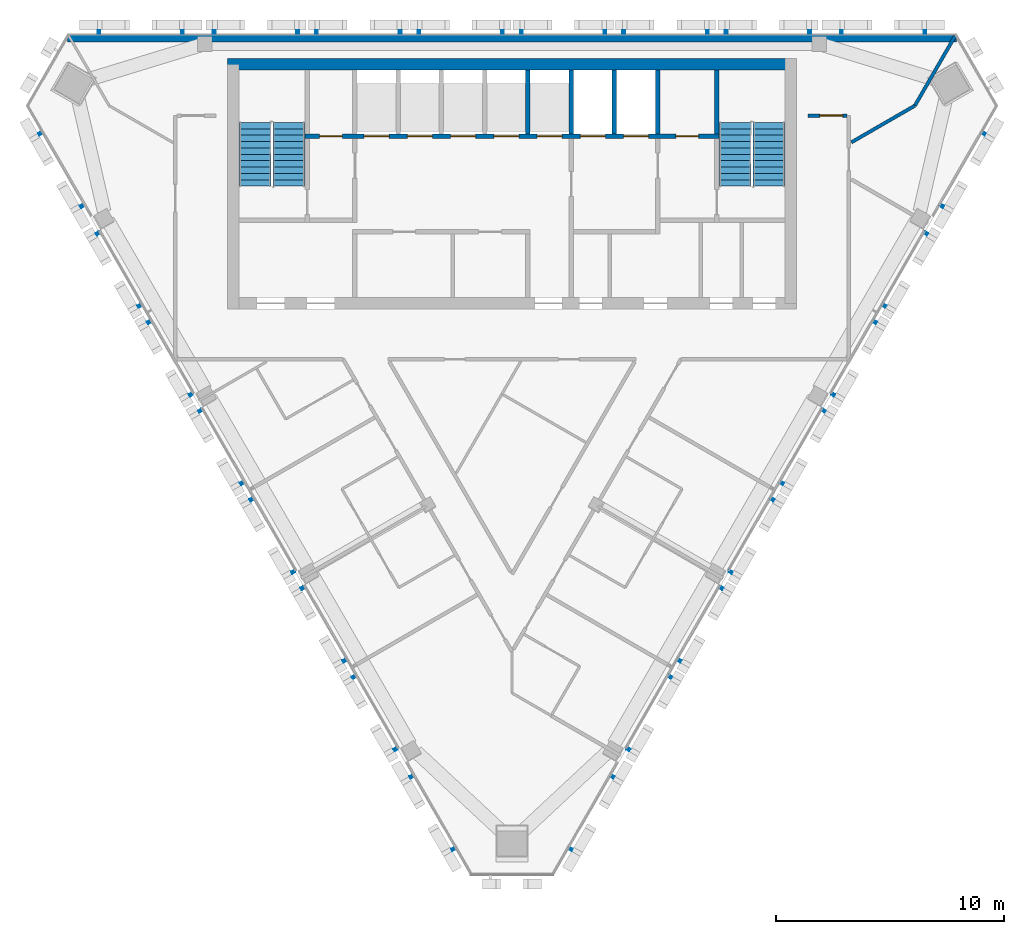
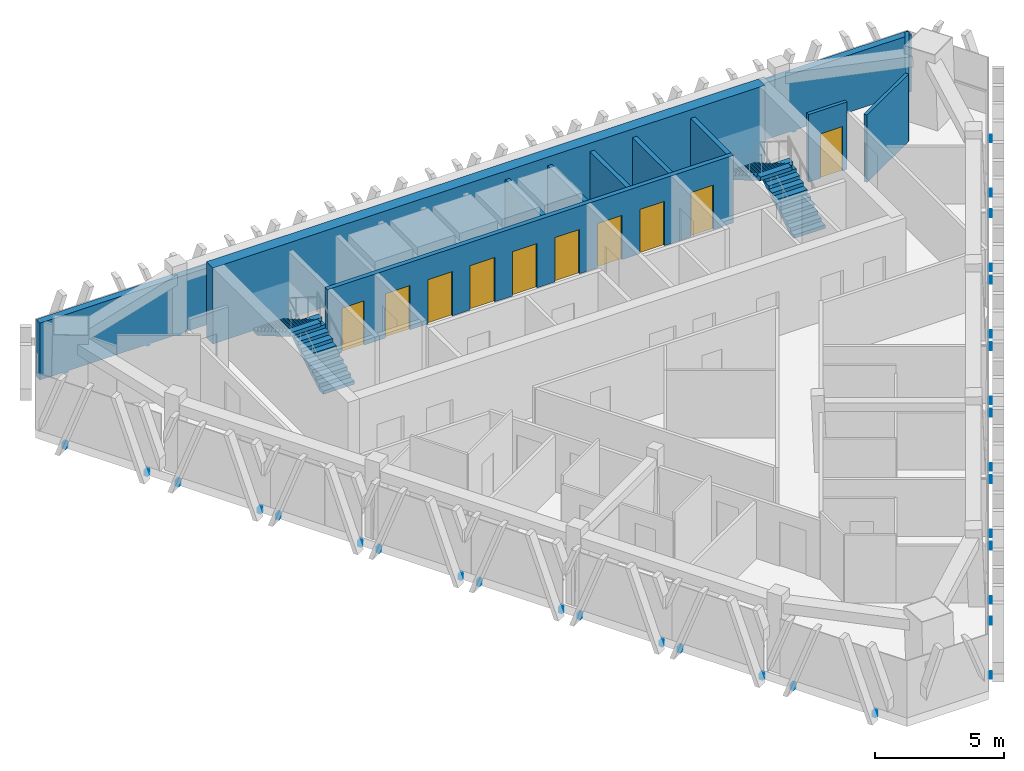
# One storey, part 8 of 12: 11 walls, 10 doors, 4 stair flights, 3 discrete accessories, 10 openings, 2 elements without a shape of their own.
"""IFC4 building model written with IfcOpenShell, lengths in metres."""

import ifcopenshell
import ifcopenshell.guid

model = None  # the IFC model being written
_history = None  # IfcOwnerHistory: only IFC2X3 demands one
_inside = {}  # id of a spatial element -> (the spatial element, [elements in it])
_under = {}  # id of a project, library or spatial element -> (it, [spatial elements below it])
_declared = {}  # id of a project -> (the project, [libraries it declares])
_typed = {}  # id of a type object -> (the type object, [elements of that type])
_made_of = {}  # id of a material, layer set ... -> (it, [elements and type objects made of it])


def new_model(schema):
    """Start an empty IFC model of exactly this schema.

    Asked for "IFC4X3", IfcOpenShell would pick the latest addendum, in which some entities
    have other attributes; the version numbers below select the first issue.
    IFC2X3 requires an IfcOwnerHistory on every rooted entity: one is made here for all.
    """
    global model, _history
    if schema == "IFC4X3":
        model = ifcopenshell.file(schema_version=(4, 3, 0, 0))
    else:
        model = ifcopenshell.file(schema=schema)
    _inside.clear()
    _under.clear()
    _declared.clear()
    _typed.clear()
    _made_of.clear()
    _history = None
    if model.schema == "IFC2X3":
        org = make("IfcOrganization", Name="unknown")
        user = make(
            "IfcPersonAndOrganization",
            ThePerson=make("IfcPerson", FamilyName="unknown"),
            TheOrganization=org,
        )
        app = make(
            "IfcApplication",
            ApplicationDeveloper=org,
            Version="unknown",
            ApplicationFullName="unknown",
            ApplicationIdentifier="unknown",
        )
        _history = make(
            "IfcOwnerHistory",
            OwningUser=user,
            OwningApplication=app,
            ChangeAction="ADDED",
            CreationDate=0,
        )
    return model


def make(cls, **values):
    """One entity of the class cls with the attributes given. An attribute that is None is left unset."""
    return model.create_entity(
        cls, **{name: value for name, value in values.items() if value is not None}
    )


def rooted(cls, **values):
    """An entity with a GlobalId (a new one), such as an element, a storey or a relation."""
    return make(cls, GlobalId=ifcopenshell.guid.new(), OwnerHistory=_history, **values)


def si_unit(unit_type, name, prefix=None):
    """IfcSIUnit, for example si_unit("LENGTHUNIT", "METRE", prefix="MILLI")."""
    return make("IfcSIUnit", UnitType=unit_type, Prefix=prefix, Name=name)


def assignment(units):
    """IfcUnitAssignment: the units of a project."""
    return None if units is None else make("IfcUnitAssignment", Units=units)


def point(xyz):
    """IfcCartesianPoint."""
    return None if xyz is None else make("IfcCartesianPoint", Coordinates=xyz)


def direction(xyz):
    """IfcDirection."""
    return None if xyz is None else make("IfcDirection", DirectionRatios=xyz)


def frame(location, z_axis=None, x_axis=None):
    """IfcAxis2Placement3D, a coordinate frame: its origin and axes. An axis left out is left unset."""
    return make(
        "IfcAxis2Placement3D",
        Location=point(location),
        Axis=direction(z_axis),
        RefDirection=direction(x_axis),
    )


def frame_2d(location, x_axis=None):
    """IfcAxis2Placement2D, a coordinate frame in the plane: its origin and x axis."""
    return make(
        "IfcAxis2Placement2D", Location=point(location), RefDirection=direction(x_axis)
    )


def origin():
    """The frame at (0, 0, 0) with its axes left unset."""
    return frame((0.0, 0.0, 0.0))


def place(relative_to, where):
    """IfcLocalPlacement: puts the frame where relative to a parent placement (None: the world)."""
    return make(
        "IfcLocalPlacement", PlacementRelTo=relative_to, RelativePlacement=where
    )


def context(
    kind, dimensions, precision=None, world=None, true_north=None, identifier=None
):
    """IfcGeometricRepresentationContext, for example the 3D "Model" context."""
    return make(
        "IfcGeometricRepresentationContext",
        ContextIdentifier=identifier,
        ContextType=kind,
        CoordinateSpaceDimension=dimensions,
        Precision=precision,
        WorldCoordinateSystem=world,
        TrueNorth=true_north,
    )


def subcontext(parent, identifier, kind, view, scale=None):
    """IfcGeometricRepresentationSubContext, for example "Body" below "Model"."""
    return make(
        "IfcGeometricRepresentationSubContext",
        ContextIdentifier=identifier,
        ContextType=kind,
        ParentContext=parent,
        TargetScale=scale,
        TargetView=view,
    )


def project(units=None, contexts=None):
    """IfcProject with its units and contexts."""
    return rooted(
        "IfcProject",
        Name="project",
        RepresentationContexts=contexts,
        UnitsInContext=assignment(units),
    )


def spatial(cls, under=None, at=None, **own):
    """A site, building, storey or space (cls), placed at a placement, below another one or the project."""
    s = rooted(cls, ObjectPlacement=at, **own)
    if under is not None:
        _under.setdefault(under.id(), (under, []))[1].append(s)
    return s


def polyline(points):
    """IfcPolyline through the points."""
    return make("IfcPolyline", Points=[point(p) for p in points])


def profile(cls, at=None, kind="AREA", **sizes):
    """A parametric profile (cls). Its sizes go by their IFC names, for example OverallWidth=200.0."""
    return make(cls, ProfileType=kind, Position=at, **sizes)


def rectangle(**sizes):
    """IfcRectangleProfileDef."""
    return profile("IfcRectangleProfileDef", **sizes)


def outline(outer, holes=None, kind="AREA"):
    """IfcArbitraryClosedProfileDef: a profile drawn as a closed curve; with holes, ...WithVoids."""
    if holes is None:
        return make("IfcArbitraryClosedProfileDef", ProfileType=kind, OuterCurve=outer)
    return make(
        "IfcArbitraryProfileDefWithVoids",
        ProfileType=kind,
        OuterCurve=outer,
        InnerCurves=holes,
    )


def extrude(swept, where, along, depth):
    """IfcExtrudedAreaSolid: the profile swept, set in the frame where, extruded along a direction by depth."""
    return make(
        "IfcExtrudedAreaSolid",
        SweptArea=swept,
        Position=where,
        ExtrudedDirection=direction(along),
        Depth=depth,
    )


def shape(context_of_items, identifier, shape_type, items):
    """IfcShapeRepresentation: the items that make up one representation, for example the "Body"."""
    return make(
        "IfcShapeRepresentation",
        ContextOfItems=context_of_items,
        RepresentationIdentifier=identifier,
        RepresentationType=shape_type,
        Items=items,
    )


def source(mapping_origin, context_of_items, identifier, shape_type, items):
    """IfcRepresentationMap: a shape defined once, which mapped items show again and again."""
    return make(
        "IfcRepresentationMap",
        MappingOrigin=mapping_origin,
        MappedRepresentation=shape(context_of_items, identifier, shape_type, items),
    )


def transform(
    local_origin,
    x_axis=None,
    y_axis=None,
    z_axis=None,
    scale=None,
    scale2=None,
    scale3=None,
    uniform=True,
):
    """IfcCartesianTransformationOperator3D, or its non-uniform kind. x_axis, y_axis, z_axis: its Axis1, 2, 3."""
    if uniform:
        return make(
            "IfcCartesianTransformationOperator3D",
            Axis1=direction(x_axis),
            Axis2=direction(y_axis),
            LocalOrigin=point(local_origin),
            Scale=scale,
            Axis3=direction(z_axis),
        )
    return make(
        "IfcCartesianTransformationOperator3DnonUniform",
        Axis1=direction(x_axis),
        Axis2=direction(y_axis),
        LocalOrigin=point(local_origin),
        Scale=scale,
        Axis3=direction(z_axis),
        Scale2=scale2,
        Scale3=scale3,
    )


def mapped(mapping_source, mapping_target):
    """IfcMappedItem: shows the shape of a source again, moved by a transform."""
    return make(
        "IfcMappedItem", MappingSource=mapping_source, MappingTarget=mapping_target
    )


def material(Name=None, Category=None):
    """IfcMaterial."""
    return make("IfcMaterial", Name=Name, Category=Category)


def layer(
    of_material, thickness, ventilated=None, Name=None, Category=None, Priority=None
):
    """IfcMaterialLayer: one layer of a wall or slab, of a material (None: an air gap)."""
    return make(
        "IfcMaterialLayer",
        Material=of_material,
        LayerThickness=thickness,
        IsVentilated=ventilated,
        Name=Name,
        Category=Category,
        Priority=Priority,
    )


def layer_set(layers, Name=None):
    """IfcMaterialLayerSet."""
    return make("IfcMaterialLayerSet", MaterialLayers=layers, LayerSetName=Name)


def made_of(thing, what):
    """Note that an element or type object is made of a material, layer set ...; save() writes the relation."""
    if what is not None:
        _made_of.setdefault(what.id(), (what, []))[1].append(thing)
    return thing


def type_object(cls, material=None, **own):
    """A type object (cls), such as IfcWallType, which elements share."""
    return made_of(rooted(cls, **own), material)


def element(
    cls,
    number,
    at=None,
    inside=None,
    cuts=None,
    type_object=None,
    material=None,
    context=None,
    identifier="Body",
    shape_type=None,
    held_by="IfcProductDefinitionShape",
    body=None,
    shapes=None,
    **own,
):
    """One element of the class cls, such as IfcWall. Its Tag is "e" and its number.

    at: its placement. inside: the storey or other place that contains it. cuts: it is an
    opening in that element (IfcRelVoidsElement). A single representation is given by context,
    identifier, shape_type and body (its items); several are given by shapes. held_by: the class
    of the entity that holds the representations. save() writes the other relations.
    """
    e = rooted(cls, Tag="e%d" % number, ObjectPlacement=at, **own)
    if body is not None:
        shapes = [shape(context, identifier, shape_type, body)]
    if shapes is not None:
        e.Representation = make(held_by, Representations=shapes)
    if inside is not None:
        _inside.setdefault(inside.id(), (inside, []))[1].append(e)
    if cuts is not None:
        rooted(
            "IfcRelVoidsElement", RelatingBuildingElement=cuts, RelatedOpeningElement=e
        )
    if type_object is not None:
        _typed.setdefault(type_object.id(), (type_object, []))[1].append(e)
    return made_of(e, material)


def fill(opening, filler):
    """IfcRelFillsElement: the door or window that sits in an opening."""
    return rooted(
        "IfcRelFillsElement",
        RelatingOpeningElement=opening,
        RelatedBuildingElement=filler,
    )


def aggregate(whole, parts):
    """IfcRelAggregates: a whole, such as a stair, and the parts it consists of."""
    return rooted("IfcRelAggregates", RelatingObject=whole, RelatedObjects=parts)


def save(model, path):
    """Write the relations noted so far, then the file.

    IfcRelAggregates (storeys below a building ...), IfcRelContainedInSpatialStructure (elements
    in a storey), IfcRelDefinesByType, IfcRelAssociatesMaterial and IfcRelDeclares: one each for
    every whole, place, type object, material and project.
    """
    for whole, parts in _under.values():
        aggregate(whole, parts)
    for where, things in _inside.values():
        rooted(
            "IfcRelContainedInSpatialStructure",
            RelatedElements=things,
            RelatingStructure=where,
        )
    for kind, things in _typed.values():
        rooted("IfcRelDefinesByType", RelatedObjects=things, RelatingType=kind)
    for what, things in _made_of.values():
        rooted("IfcRelAssociatesMaterial", RelatedObjects=things, RelatingMaterial=what)
    for by, libraries in _declared.values():
        rooted("IfcRelDeclares", RelatingContext=by, RelatedDefinitions=libraries)
    model.write(path)


model = new_model("IFC4")

# Units and contexts
model_context = context("Model", 3, precision=1e-05, world=origin(), true_north=direction((0.0, 1.0)))
body_context = subcontext(model_context, "Body", "Model", "MODEL_VIEW")
ifc_project = project(units=[si_unit("LENGTHUNIT", "METRE"), si_unit("AREAUNIT", "SQUARE_METRE"), si_unit("VOLUMEUNIT", "CUBIC_METRE"), si_unit("PLANEANGLEUNIT", "RADIAN"), si_unit("MASSUNIT", "GRAM", prefix="KILO")], contexts=[model_context])

# Site, building, storey
site_placement = place(None, origin())
site = spatial("IfcSite", under=ifc_project, at=site_placement, CompositionType="ELEMENT")
building_placement = place(site_placement, origin())
building = spatial("IfcBuilding", under=site, at=building_placement, Name="Altiplano Prism Tower", CompositionType="ELEMENT")
storey_placement = place(building_placement, frame((0.0, 0.0, 323.800048828125)))
storey = spatial("IfcBuildingStorey", under=building, at=storey_placement, Name="L84", CompositionType="ELEMENT", Elevation=323.800048828125)

# Wall
ifc_material_1 = material(Name="Concrete C60/75", Category="concrete")
ifc_layer_1 = layer(ifc_material_1, 0.5)
ifc_layer_set_1 = layer_set([ifc_layer_1], Name="Concrete C60/75")
wall_type_1 = type_object("IfcWallType", Name="Core wall 500", PredefinedType="SHEAR", material=ifc_layer_set_1)
wall_1_placement = place(storey_placement, frame((97.25, 103.64990234375, 0.0), z_axis=(0.0, 0.0, 1.0), x_axis=(-1.0, 0.0, 0.0)))
element("IfcWall", 1, at=wall_1_placement, inside=storey, type_object=wall_type_1, Name="Core wall N L84", PredefinedType="SHEAR", context=body_context, shape_type="SweptSolid", body=[
    extrude(rectangle(XDim=24.75, YDim=0.5, at=frame_2d((12.375, 0.0))), origin(), (0.0, 0.0, 1.0), 3.599853515625),
])

# Wall, opening, door
ifc_material_2 = material(Name="Plasterboard on steel stud", Category="steel")
ifc_layer_2 = layer(ifc_material_2, 0.14990234375)
ifc_layer_set_2 = layer_set([ifc_layer_2], Name="Plasterboard on steel stud")
wall_type_2 = type_object("IfcWallType", Name="Partition 150 corridor", PredefinedType="PARTITIONING", material=ifc_layer_set_2)
wall_2_placement = place(storey_placement, frame((99.7255859375, 101.40087890625, 0.0), z_axis=(0.0, 0.0, 1.0), x_axis=(-1.0, 0.0, 0.0)))
wall_2 = element("IfcWall", 2, at=wall_2_placement, inside=storey, type_object=wall_type_2, Name="Partition P06 L84 010", PredefinedType="PARTITIONING", context=body_context, shape_type="SweptSolid", body=[
    extrude(rectangle(XDim=1.7255859375, YDim=0.14990234375, at=frame_2d((0.86279296875, 0.0))), origin(), (0.0, 0.0, 1.0), 3.199951171875),
])
opening_1_placement = place(wall_2_placement, frame((0.199951171875, 0.0, 0.0)))
opening_1 = element("IfcOpeningElement", 3, at=opening_1_placement, cuts=wall_2, Name="Opening D2459", PredefinedType="OPENING", context=body_context, shape_type="SweptSolid", body=[
    extrude(rectangle(XDim=1.0, YDim=2.10009765625, at=frame_2d((0.5, 1.050048828125))), frame((0.0, 0.08544921875, 0.0), z_axis=(0.0, -1.0, 0.0), x_axis=(1.0, 0.0, 0.0)), (0.0, 0.0, 1.0), 0.1708984375),
])
ifc_material_3 = material(Name="Timber", Category="wood")
door_type_1 = type_object("IfcDoorType", Name="Room door 1000 x 2100", OperationType="NOTDEFINED", PredefinedType="NOTDEFINED", material=ifc_material_3)
door_1_placement = place(opening_1_placement, origin())
door_1 = element("IfcDoor", 4, at=door_1_placement, inside=storey, type_object=door_type_1, Name="Door D2459", OperationType="SINGLE_SWING_LEFT", OverallHeight=2.10009765625, OverallWidth=1.0, PredefinedType="NOTDEFINED", context=body_context, shape_type="SweptSolid", body=[
    extrude(rectangle(XDim=1.0, YDim=2.10009765625, at=frame_2d((0.5, 1.050048828125))), frame((0.0, 0.02490234375, 0.0), z_axis=(0.0, -1.0, 0.0), x_axis=(1.0, 0.0, 0.0)), (0.0, 0.0, 1.0), 0.050048828125),
])
fill(opening_1, door_1)

# Walls
ifc_layer_3 = layer(ifc_material_2, 0.14990234375)
ifc_layer_set_3 = layer_set([ifc_layer_3], Name="Plasterboard on steel stud")
wall_type_3 = type_object("IfcWallType", Name="Partition 150 party", PredefinedType="PARTITIONING", material=ifc_layer_set_3)
wall_3_placement = place(storey_placement, frame((104.4716796875, 104.89990234375, 0.0), z_axis=(0.0, 0.0, 1.0), x_axis=(-0.499975270313, -0.866039681005, 0.0)))
element("IfcWall", 5, at=wall_3_placement, inside=storey, type_object=wall_type_3, Name="Partition P01 L84 040", PredefinedType="PARTITIONING", context=body_context, shape_type="SweptSolid", body=[
    extrude(rectangle(XDim=3.538818359375, YDim=0.14990234375, at=frame_2d((1.76953125, 0.0))), origin(), (0.0, 0.0, 1.0), 2.699951171875),
])
wall_4_placement = place(storey_placement, frame((102.702392578125, 101.835205078125, 0.0), z_axis=(0.0, 0.0, 1.0), x_axis=(-0.86603284879, -0.49998710465, 0.0)))
element("IfcWall", 6, at=wall_4_placement, inside=storey, type_object=wall_type_3, Name="Partition P01 L84 041", PredefinedType="PARTITIONING", context=body_context, shape_type="SweptSolid", body=[
    extrude(rectangle(XDim=3.220703125, YDim=0.14990234375, at=frame_2d((1.6103515625, 0.0))), origin(), (0.0, 0.0, 1.0), 3.199951171875),
])
ifc_layer_4 = layer(ifc_material_1, 0.199951171875)
ifc_layer_set_4 = layer_set([ifc_layer_4], Name="Concrete C60/75")
wall_type_4 = type_object("IfcWallType", Name="Shaft wall 200", PredefinedType="SOLIDWALL", material=ifc_layer_set_4)
for number, where, z_axis, x_axis, name in (
    (7, (85.699951171875, 100.60009765625, 0.0), (0.0, 0.0, 1.0), (0.0, 1.0, 0.0), "Shaft wall L84"),
    (8, (87.60009765625, 100.60009765625, 0.0), (0.0, 0.0, 1.0), (0.0, 1.0, 0.0), "Shaft wall L84"),
    (9, (89.5, 100.60009765625, 0.0), (0.0, 0.0, 1.0), (0.0, 1.0, 0.0), "Shaft wall L84"),
    (10, (91.39990234375, 100.60009765625, 0.0), (0.0, 0.0, 1.0), (0.0, 1.0, 0.0), "Shaft wall L84"),
):
    element("IfcWall", number, at=place(storey_placement, frame(where, z_axis=z_axis, x_axis=x_axis)), inside=storey, type_object=wall_type_4, Name=name, PredefinedType="SOLIDWALL", context=body_context, shape_type="SweptSolid", body=[
        extrude(rectangle(XDim=2.7998046875, YDim=0.199951171875, at=frame_2d((1.39990234375, 0.0))), origin(), (0.0, 0.0, 1.0), 3.199951171875),
    ])

# Wall, openings, doors
ifc_layer_5 = layer(ifc_material_1, 0.199951171875)
ifc_layer_set_5 = layer_set([ifc_layer_5], Name="Concrete C60/75")
wall_type_5 = type_object("IfcWallType", Name="Stair wall 200", PredefinedType="SOLIDWALL", material=ifc_layer_set_5)
wall_5_placement = place(storey_placement, frame((75.89990234375, 100.5, 0.0), z_axis=(0.0, 0.0, 1.0), x_axis=(1.0, 0.0, 0.0)))
wall_5 = element("IfcWall", 11, at=wall_5_placement, inside=storey, type_object=wall_type_5, Name="Stair wall L84", PredefinedType="SOLIDWALL", context=body_context, shape_type="SweptSolid", body=[
    extrude(rectangle(XDim=18.2001953125, YDim=0.199951171875, at=frame_2d((9.10009765625, 0.0))), origin(), (0.0, 0.0, 1.0), 3.199951171875),
])
opening_2_placement = place(wall_5_placement, frame((2.60009765625, 0.0, 0.0)))
opening_2 = element("IfcOpeningElement", 12, at=opening_2_placement, cuts=wall_5, Name="Opening LD-HL1-L84", PredefinedType="OPENING", context=body_context, shape_type="SweptSolid", body=[
    extrude(rectangle(XDim=1.10009765625, YDim=2.10009765625, at=frame_2d((0.550048828125, 1.050048828125))), frame((0.0, 0.1103515625, 0.0), z_axis=(0.0, -1.0, 0.0), x_axis=(1.0, 0.0, 0.0)), (0.0, 0.0, 1.0), 0.220947265625),
])
opening_3_placement = place(wall_5_placement, frame((4.5, 0.0, 0.0)))
opening_3 = element("IfcOpeningElement", 13, at=opening_3_placement, cuts=wall_5, Name="Opening LD-HL2-L84", PredefinedType="OPENING", context=body_context, shape_type="SweptSolid", body=[
    extrude(rectangle(XDim=1.10009765625, YDim=2.10009765625, at=frame_2d((0.550048828125, 1.050048828125))), frame((0.0, 0.1103515625, 0.0), z_axis=(0.0, -1.0, 0.0), x_axis=(1.0, 0.0, 0.0)), (0.0, 0.0, 1.0), 0.220947265625),
])
opening_4_placement = place(wall_5_placement, frame((6.39990234375, 0.0, 0.0)))
opening_4 = element("IfcOpeningElement", 14, at=opening_4_placement, cuts=wall_5, Name="Opening LD-HL3-L84", PredefinedType="OPENING", context=body_context, shape_type="SweptSolid", body=[
    extrude(rectangle(XDim=1.10009765625, YDim=2.10009765625, at=frame_2d((0.550048828125, 1.050048828125))), frame((0.0, 0.1103515625, 0.0), z_axis=(0.0, -1.0, 0.0), x_axis=(1.0, 0.0, 0.0)), (0.0, 0.0, 1.0), 0.220947265625),
])
opening_5_placement = place(wall_5_placement, frame((8.300048828125, 0.0, 0.0)))
opening_5 = element("IfcOpeningElement", 15, at=opening_5_placement, cuts=wall_5, Name="Opening LD-HL4-L84", PredefinedType="OPENING", context=body_context, shape_type="SweptSolid", body=[
    extrude(rectangle(XDim=1.10009765625, YDim=2.10009765625, at=frame_2d((0.550048828125, 1.050048828125))), frame((0.0, 0.1103515625, 0.0), z_axis=(0.0, -1.0, 0.0), x_axis=(1.0, 0.0, 0.0)), (0.0, 0.0, 1.0), 0.220947265625),
])
opening_6_placement = place(wall_5_placement, frame((10.199951171875, 0.0, 0.0)))
opening_6 = element("IfcOpeningElement", 16, at=opening_6_placement, cuts=wall_5, Name="Opening LD-HL5-L84", PredefinedType="OPENING", context=body_context, shape_type="SweptSolid", body=[
    extrude(rectangle(XDim=1.10009765625, YDim=2.10009765625, at=frame_2d((0.550048828125, 1.050048828125))), frame((0.0, 0.1103515625, 0.0), z_axis=(0.0, -1.0, 0.0), x_axis=(1.0, 0.0, 0.0)), (0.0, 0.0, 1.0), 0.220947265625),
])
opening_7_placement = place(wall_5_placement, frame((12.10009765625, 0.0, 0.0)))
opening_7 = element("IfcOpeningElement", 17, at=opening_7_placement, cuts=wall_5, Name="Opening LD-FF1-L84", PredefinedType="OPENING", context=body_context, shape_type="SweptSolid", body=[
    extrude(rectangle(XDim=1.10009765625, YDim=2.10009765625, at=frame_2d((0.550048828125, 1.050048828125))), frame((0.0, 0.1103515625, 0.0), z_axis=(0.0, -1.0, 0.0), x_axis=(1.0, 0.0, 0.0)), (0.0, 0.0, 1.0), 0.220947265625),
])
opening_8_placement = place(wall_5_placement, frame((14.0, 0.0, 0.0)))
opening_8 = element("IfcOpeningElement", 18, at=opening_8_placement, cuts=wall_5, Name="Opening LD-FF2-L84", PredefinedType="OPENING", context=body_context, shape_type="SweptSolid", body=[
    extrude(rectangle(XDim=1.10009765625, YDim=2.10009765625, at=frame_2d((0.550048828125, 1.050048828125))), frame((0.0, 0.1103515625, 0.0), z_axis=(0.0, -1.0, 0.0), x_axis=(1.0, 0.0, 0.0)), (0.0, 0.0, 1.0), 0.220947265625),
])
opening_9_placement = place(wall_5_placement, frame((0.64990234375, 0.0, 0.0)))
opening_9 = element("IfcOpeningElement", 19, at=opening_9_placement, cuts=wall_5, Name="Opening D3776", PredefinedType="OPENING", context=body_context, shape_type="SweptSolid", body=[
    extrude(rectangle(XDim=1.0, YDim=2.10009765625, at=frame_2d((0.5, 1.050048828125))), frame((0.0, 0.1103515625, 0.0), z_axis=(0.0, -1.0, 0.0), x_axis=(1.0, 0.0, 0.0)), (0.0, 0.0, 1.0), 0.220947265625),
])
opening_10_placement = place(wall_5_placement, frame((16.300048828125, 0.0, 0.0)))
opening_10 = element("IfcOpeningElement", 20, at=opening_10_placement, cuts=wall_5, Name="Opening D3777", PredefinedType="OPENING", context=body_context, shape_type="SweptSolid", body=[
    extrude(rectangle(XDim=1.0, YDim=2.10009765625, at=frame_2d((0.5, 1.050048828125))), frame((0.0, 0.1103515625, 0.0), z_axis=(0.0, -1.0, 0.0), x_axis=(1.0, 0.0, 0.0)), (0.0, 0.0, 1.0), 0.220947265625),
])
ifc_material_4 = material(Name="Fire-rated steel door", Category="steel")
door_type_2 = type_object("IfcDoorType", Name="Core room door 1000 x 2100", OperationType="NOTDEFINED", PredefinedType="NOTDEFINED", material=ifc_material_4)
door_2_placement = place(opening_9_placement, origin())
door_2 = element("IfcDoor", 21, at=door_2_placement, inside=storey, type_object=door_type_2, Name="Core room door D3776", OperationType="SINGLE_SWING_LEFT", OverallHeight=2.10009765625, OverallWidth=1.0, PredefinedType="NOTDEFINED", context=body_context, shape_type="SweptSolid", body=[
    extrude(rectangle(XDim=1.0, YDim=2.10009765625, at=frame_2d((0.5, 1.050048828125))), frame((0.0, 0.02490234375, 0.0), z_axis=(0.0, -1.0, 0.0), x_axis=(1.0, 0.0, 0.0)), (0.0, 0.0, 1.0), 0.050048828125),
])
fill(opening_9, door_2)
door_3_placement = place(opening_10_placement, origin())
door_3 = element("IfcDoor", 22, at=door_3_placement, inside=storey, type_object=door_type_2, Name="Core room door D3777", OperationType="SINGLE_SWING_RIGHT", OverallHeight=2.10009765625, OverallWidth=1.0, PredefinedType="NOTDEFINED", context=body_context, shape_type="SweptSolid", body=[
    extrude(rectangle(XDim=1.0, YDim=2.10009765625, at=frame_2d((0.5, 1.050048828125))), frame((0.0, 0.02490234375, 0.0), z_axis=(0.0, -1.0, 0.0), x_axis=(1.0, 0.0, 0.0)), (0.0, 0.0, 1.0), 0.050048828125),
])
fill(opening_10, door_3)
ifc_material_5 = material(Name="Stainless steel landing door", Category="steel")
door_type_3 = type_object("IfcDoorType", Name="Landing door 1100 x 2100", OperationType="NOTDEFINED", PredefinedType="NOTDEFINED", material=ifc_material_5)
door_4_placement = place(opening_2_placement, origin())
door_4 = element("IfcDoor", 23, at=door_4_placement, inside=storey, type_object=door_type_3, Name="Landing doors HL1", OperationType="SLIDING_TO_RIGHT", OverallHeight=2.10009765625, OverallWidth=1.10009765625, PredefinedType="NOTDEFINED", context=body_context, shape_type="SweptSolid", body=[
    extrude(rectangle(XDim=1.10009765625, YDim=2.10009765625, at=frame_2d((0.550048828125, 1.050048828125))), frame((0.0, 0.02490234375, 0.0), z_axis=(0.0, -1.0, 0.0), x_axis=(1.0, 0.0, 0.0)), (0.0, 0.0, 1.0), 0.050048828125),
])
fill(opening_2, door_4)
door_5_placement = place(opening_3_placement, origin())
door_5 = element("IfcDoor", 24, at=door_5_placement, inside=storey, type_object=door_type_3, Name="Landing doors HL2", OperationType="SLIDING_TO_LEFT", OverallHeight=2.10009765625, OverallWidth=1.10009765625, PredefinedType="NOTDEFINED", context=body_context, shape_type="SweptSolid", body=[
    extrude(rectangle(XDim=1.10009765625, YDim=2.10009765625, at=frame_2d((0.550048828125, 1.050048828125))), frame((0.0, 0.02490234375, 0.0), z_axis=(0.0, -1.0, 0.0), x_axis=(1.0, 0.0, 0.0)), (0.0, 0.0, 1.0), 0.050048828125),
])
fill(opening_3, door_5)
door_6_placement = place(opening_4_placement, origin())
door_6 = element("IfcDoor", 25, at=door_6_placement, inside=storey, type_object=door_type_3, Name="Landing doors HL3", OperationType="SLIDING_TO_RIGHT", OverallHeight=2.10009765625, OverallWidth=1.10009765625, PredefinedType="NOTDEFINED", context=body_context, shape_type="SweptSolid", body=[
    extrude(rectangle(XDim=1.10009765625, YDim=2.10009765625, at=frame_2d((0.550048828125, 1.050048828125))), frame((0.0, 0.02490234375, 0.0), z_axis=(0.0, -1.0, 0.0), x_axis=(1.0, 0.0, 0.0)), (0.0, 0.0, 1.0), 0.050048828125),
])
fill(opening_4, door_6)
door_7_placement = place(opening_5_placement, origin())
door_7 = element("IfcDoor", 26, at=door_7_placement, inside=storey, type_object=door_type_3, Name="Landing doors HL4", OperationType="SLIDING_TO_LEFT", OverallHeight=2.10009765625, OverallWidth=1.10009765625, PredefinedType="NOTDEFINED", context=body_context, shape_type="SweptSolid", body=[
    extrude(rectangle(XDim=1.10009765625, YDim=2.10009765625, at=frame_2d((0.550048828125, 1.050048828125))), frame((0.0, 0.02490234375, 0.0), z_axis=(0.0, -1.0, 0.0), x_axis=(1.0, 0.0, 0.0)), (0.0, 0.0, 1.0), 0.050048828125),
])
fill(opening_5, door_7)
door_8_placement = place(opening_6_placement, origin())
door_8 = element("IfcDoor", 27, at=door_8_placement, inside=storey, type_object=door_type_3, Name="Landing doors HL5", OperationType="SLIDING_TO_RIGHT", OverallHeight=2.10009765625, OverallWidth=1.10009765625, PredefinedType="NOTDEFINED", context=body_context, shape_type="SweptSolid", body=[
    extrude(rectangle(XDim=1.10009765625, YDim=2.10009765625, at=frame_2d((0.550048828125, 1.050048828125))), frame((0.0, 0.02490234375, 0.0), z_axis=(0.0, -1.0, 0.0), x_axis=(1.0, 0.0, 0.0)), (0.0, 0.0, 1.0), 0.050048828125),
])
fill(opening_6, door_8)
door_9_placement = place(opening_7_placement, origin())
door_9 = element("IfcDoor", 28, at=door_9_placement, inside=storey, type_object=door_type_3, Name="Landing doors FF1", OperationType="SLIDING_TO_RIGHT", OverallHeight=2.10009765625, OverallWidth=1.10009765625, PredefinedType="NOTDEFINED", context=body_context, shape_type="SweptSolid", body=[
    extrude(rectangle(XDim=1.10009765625, YDim=2.10009765625, at=frame_2d((0.550048828125, 1.050048828125))), frame((0.0, 0.02490234375, 0.0), z_axis=(0.0, -1.0, 0.0), x_axis=(1.0, 0.0, 0.0)), (0.0, 0.0, 1.0), 0.050048828125),
])
fill(opening_7, door_9)
door_10_placement = place(opening_8_placement, origin())
door_10 = element("IfcDoor", 29, at=door_10_placement, inside=storey, type_object=door_type_3, Name="Landing doors FF2", OperationType="SLIDING_TO_LEFT", OverallHeight=2.10009765625, OverallWidth=1.10009765625, PredefinedType="NOTDEFINED", context=body_context, shape_type="SweptSolid", body=[
    extrude(rectangle(XDim=1.10009765625, YDim=2.10009765625, at=frame_2d((0.550048828125, 1.050048828125))), frame((0.0, 0.02490234375, 0.0), z_axis=(0.0, -1.0, 0.0), x_axis=(1.0, 0.0, 0.0)), (0.0, 0.0, 1.0), 0.050048828125),
])
fill(opening_8, door_10)

# Walls
wall_6_placement = place(storey_placement, frame((94.0, 100.60009765625, 0.0), z_axis=(0.0, 0.0, 1.0), x_axis=(0.0, 1.0, 0.0)))
element("IfcWall", 30, at=wall_6_placement, inside=storey, type_object=wall_type_5, Name="Stair wall L84", PredefinedType="SOLIDWALL", context=body_context, shape_type="SweptSolid", body=[
    extrude(rectangle(XDim=2.7998046875, YDim=0.199951171875, at=frame_2d((1.39990234375, 0.0))), origin(), (0.0, 0.0, 1.0), 3.199951171875),
])
ifc_material_6 = material(Name="Concrete C40", Category="concrete")
ifc_layer_6 = layer(ifc_material_6, 0.300048828125)
ifc_layer_set_6 = layer_set([ifc_layer_6], Name="Concrete C40")
wall_type_6 = type_object("IfcWallType", Name="Stone-clad external wall 300", PredefinedType="SOLIDWALL", material=ifc_layer_set_6)
wall_7_placement = place(storey_placement, frame((65.470703125, 104.7900390625, 0.0), z_axis=(0.0, 0.0, 1.0), x_axis=(1.0, 0.0, 0.0)))
element("IfcWall", 31, at=wall_7_placement, inside=storey, type_object=wall_type_6, Name="External wall north face L84", PredefinedType="SOLIDWALL", context=body_context, shape_type="SweptSolid", body=[
    extrude(rectangle(XDim=39.05859375, YDim=0.300048828125, at=frame_2d((19.529296875, 0.0))), origin(), (0.0, 0.0, 1.0), 2.699951171875),
])

# Stair, stair flights
ifc_material_7 = material(Name="Concrete C40/50", Category="concrete")
stair_type = type_object("IfcStairType", Name="Exit stair 1400", PredefinedType="HALF_TURN_STAIR", material=ifc_material_7)
stair_1_placement = place(storey_placement, origin())
stair_1 = element("IfcStair", 32, at=stair_1_placement, inside=storey, type_object=stair_type, Name="L84 Exit Stair 1", PredefinedType="HALF_TURN_STAIR")
stair_flight_type = type_object("IfcStairFlightType", Name="Stair flight concrete 150", PredefinedType="STRAIGHT", material=ifc_material_7)
stair_flight_1_placement = place(storey_placement, frame((75.199951171875, 98.300048828125, 0.0), z_axis=(0.0, 0.0, 1.0), x_axis=(0.0, 1.0, 0.0)))
stair_flight_1 = element("IfcStairFlight", 33, at=stair_flight_1_placement, type_object=stair_flight_type, Name="ST1 flight 1", NumberOfRisers=11, NumberOfTreads=10, PredefinedType="STRAIGHT", RiserHeight=0.163636364, TreadLength=0.28, context=body_context, shape_type="SweptSolid", body=[
    extrude(outline(polyline([(0.0, 0.0), (0.0, 0.16357421875), (0.280029296875, 0.16357421875), (0.280029296875, 0.327392578125), (0.56005859375, 0.327392578125), (0.56005859375, 0.490966796875), (0.840087890625, 0.490966796875), (0.840087890625, 0.654541015625), (1.1201171875, 0.654541015625), (1.1201171875, 0.818115234375), (1.39990234375, 0.818115234375), (1.39990234375, 0.98193359375), (1.679931640625, 0.98193359375), (1.679931640625, 1.1455078125), (1.9599609375, 1.1455078125), (1.9599609375, 1.30908203125), (2.239990234375, 1.30908203125), (2.239990234375, 1.47265625), (2.52001953125, 1.47265625), (2.52001953125, 1.636474609375), (2.800048828125, 1.636474609375), (2.800048828125, 1.800048828125), (2.800048828125, 1.462646484375), (0.297119140625, 0.0), (0.0, 0.0)])), frame((0.0, 0.699951171875, 0.0), z_axis=(0.0, -1.0, 0.0), x_axis=(1.0, 0.0, 0.0)), (0.0, 0.0, 1.0), 1.39990234375),
])
stair_flight_2_placement = place(storey_placement, frame((73.699951171875, 101.10009765625, 1.800048828125), z_axis=(0.0, 0.0, 1.0), x_axis=(0.0, -1.0, 0.0)))
stair_flight_2 = element("IfcStairFlight", 34, at=stair_flight_2_placement, type_object=stair_flight_type, Name="ST1 flight 2", NumberOfRisers=11, NumberOfTreads=10, PredefinedType="STRAIGHT", RiserHeight=0.163636364, TreadLength=0.28, context=body_context, shape_type="SweptSolid", body=[
    extrude(outline(polyline([(0.0, 0.0), (0.0, 0.16357421875), (0.280029296875, 0.16357421875), (0.280029296875, 0.327392578125), (0.56005859375, 0.327392578125), (0.56005859375, 0.490966796875), (0.840087890625, 0.490966796875), (0.840087890625, 0.654541015625), (1.1201171875, 0.654541015625), (1.1201171875, 0.818115234375), (1.39990234375, 0.818115234375), (1.39990234375, 0.98193359375), (1.679931640625, 0.98193359375), (1.679931640625, 1.1455078125), (1.9599609375, 1.1455078125), (1.9599609375, 1.30908203125), (2.239990234375, 1.30908203125), (2.239990234375, 1.47265625), (2.52001953125, 1.47265625), (2.52001953125, 1.636474609375), (2.800048828125, 1.636474609375), (2.800048828125, 1.800048828125), (2.800048828125, 1.462646484375), (0.297119140625, 0.0), (0.0, 0.0)])), frame((0.0, 0.699951171875, 0.0), z_axis=(0.0, -1.0, 0.0), x_axis=(1.0, 0.0, 0.0)), (0.0, 0.0, 1.0), 1.39990234375),
])
aggregate(stair_1, [stair_flight_1, stair_flight_2])

stair_2_placement = place(storey_placement, origin())
stair_2 = element("IfcStair", 35, at=stair_2_placement, inside=storey, type_object=stair_type, Name="L84 Exit Stair 2", PredefinedType="HALF_TURN_STAIR")
stair_flight_3_placement = place(storey_placement, frame((96.300048828125, 98.300048828125, 0.0), z_axis=(0.0, 0.0, 1.0), x_axis=(0.0, 1.0, 0.0)))
stair_flight_3 = element("IfcStairFlight", 36, at=stair_flight_3_placement, type_object=stair_flight_type, Name="ST2 flight 1", NumberOfRisers=11, NumberOfTreads=10, PredefinedType="STRAIGHT", RiserHeight=0.163636364, TreadLength=0.28, context=body_context, shape_type="SweptSolid", body=[
    extrude(outline(polyline([(0.0, 0.0), (0.0, 0.16357421875), (0.280029296875, 0.16357421875), (0.280029296875, 0.327392578125), (0.56005859375, 0.327392578125), (0.56005859375, 0.490966796875), (0.840087890625, 0.490966796875), (0.840087890625, 0.654541015625), (1.1201171875, 0.654541015625), (1.1201171875, 0.818115234375), (1.39990234375, 0.818115234375), (1.39990234375, 0.98193359375), (1.679931640625, 0.98193359375), (1.679931640625, 1.1455078125), (1.9599609375, 1.1455078125), (1.9599609375, 1.30908203125), (2.239990234375, 1.30908203125), (2.239990234375, 1.47265625), (2.52001953125, 1.47265625), (2.52001953125, 1.636474609375), (2.800048828125, 1.636474609375), (2.800048828125, 1.800048828125), (2.800048828125, 1.462646484375), (0.297119140625, 0.0), (0.0, 0.0)])), frame((0.0, 0.699951171875, 0.0), z_axis=(0.0, -1.0, 0.0), x_axis=(1.0, 0.0, 0.0)), (0.0, 0.0, 1.0), 1.39990234375),
])
stair_flight_4_placement = place(storey_placement, frame((94.800048828125, 101.10009765625, 1.800048828125), z_axis=(0.0, 0.0, 1.0), x_axis=(0.0, -1.0, 0.0)))
stair_flight_4 = element("IfcStairFlight", 37, at=stair_flight_4_placement, type_object=stair_flight_type, Name="ST2 flight 2", NumberOfRisers=11, NumberOfTreads=10, PredefinedType="STRAIGHT", RiserHeight=0.163636364, TreadLength=0.28, context=body_context, shape_type="SweptSolid", body=[
    extrude(outline(polyline([(0.0, 0.0), (0.0, 0.16357421875), (0.280029296875, 0.16357421875), (0.280029296875, 0.327392578125), (0.56005859375, 0.327392578125), (0.56005859375, 0.490966796875), (0.840087890625, 0.490966796875), (0.840087890625, 0.654541015625), (1.1201171875, 0.654541015625), (1.1201171875, 0.818115234375), (1.39990234375, 0.818115234375), (1.39990234375, 0.98193359375), (1.679931640625, 0.98193359375), (1.679931640625, 1.1455078125), (1.9599609375, 1.1455078125), (1.9599609375, 1.30908203125), (2.239990234375, 1.30908203125), (2.239990234375, 1.47265625), (2.52001953125, 1.47265625), (2.52001953125, 1.636474609375), (2.800048828125, 1.636474609375), (2.800048828125, 1.800048828125), (2.800048828125, 1.462646484375), (0.297119140625, 0.0), (0.0, 0.0)])), frame((0.0, 0.699951171875, 0.0), z_axis=(0.0, -1.0, 0.0), x_axis=(1.0, 0.0, 0.0)), (0.0, 0.0, 1.0), 1.39990234375),
])
aggregate(stair_2, [stair_flight_3, stair_flight_4])

# Discrete accessories
ifc_material_8 = material(Name="Stainless steel", Category="steel")
discrete_accessory_type = type_object("IfcDiscreteAccessoryType", Name="Stone fin fixing prongs", PredefinedType="USERDEFINED", material=ifc_material_8)
shared_shape_1 = source(origin(), body_context, "Body", "SweptSolid", [
    extrude(outline(polyline([(-1.8974609375, 0.06005859375), (-1.777587890625, 0.06005859375), (-1.777587890625, 0.340087890625), (-1.8974609375, 0.340087890625), (-1.8974609375, 0.06005859375)])), frame((0.0, 0.0, 0.0), z_axis=(0.0, -1.0, 0.0), x_axis=(1.0, 0.0, 0.0)), (0.0, 0.0, 1.0), 0.14990234375),
    extrude(outline(polyline([(1.777587890625, 0.06005859375), (1.8974609375, 0.06005859375), (1.8974609375, 0.340087890625), (1.777587890625, 0.340087890625), (1.777587890625, 0.06005859375)])), frame((0.0, 0.0, 0.0), z_axis=(0.0, -1.0, 0.0), x_axis=(1.0, 0.0, 0.0)), (0.0, 0.0, 1.0), 0.14990234375),
])
shared_shape_2 = source(origin(), body_context, "Body", "SweptSolid", [
    extrude(outline(polyline([(-1.8974609375, 0.06005859375), (-1.777587890625, 0.06005859375), (-1.777587890625, 0.340087890625), (-1.8974609375, 0.340087890625), (-1.8974609375, 0.06005859375)])), frame((0.0, 0.0, 0.0), z_axis=(0.0, -1.0, 0.0), x_axis=(1.0, 0.0, 0.0)), (0.0, 0.0, 1.0), 0.14990234375),
    extrude(outline(polyline([(1.777587890625, 0.06005859375), (1.8974609375, 0.06005859375), (1.8974609375, 0.340087890625), (1.777587890625, 0.340087890625), (1.777587890625, 0.06005859375)])), frame((0.0, 0.0, 0.0), z_axis=(0.0, -1.0, 0.0), x_axis=(1.0, 0.0, 0.0)), (0.0, 0.0, 1.0), 0.14990234375),
])
discrete_accessory_1_placement = place(storey_placement, origin())
element("IfcDiscreteAccessory", 38, at=discrete_accessory_1_placement, inside=storey, type_object=discrete_accessory_type, Name="Fin fixings L84 north face", ObjectType="BRACKET", PredefinedType="USERDEFINED", context=body_context, shape_type="MappedRepresentation", body=[
    mapped(shared_shape_1, transform((101.314697265625, 105.0, -0.400146484375), x_axis=(-1.0, 0.0, 0.0), y_axis=(0.0, -1.0, 0.0), z_axis=(0.0, 0.0, 1.0))),
    mapped(shared_shape_2, transform((96.25, 105.0, -0.400146484375), x_axis=(-1.0, 0.0, 0.0), y_axis=(0.0, -1.0, 0.0), z_axis=(0.0, 0.0, 1.0))),
    mapped(shared_shape_2, transform((91.75, 105.0, -0.400146484375), x_axis=(-1.0, 0.0, 0.0), y_axis=(0.0, -1.0, 0.0), z_axis=(0.0, 0.0, 1.0))),
    mapped(shared_shape_2, transform((87.25, 105.0, -0.400146484375), x_axis=(-1.0, 0.0, 0.0), y_axis=(0.0, -1.0, 0.0), z_axis=(0.0, 0.0, 1.0))),
    mapped(shared_shape_2, transform((82.75, 105.0, -0.400146484375), x_axis=(-1.0, 0.0, 0.0), y_axis=(0.0, -1.0, 0.0), z_axis=(0.0, 0.0, 1.0))),
    mapped(shared_shape_2, transform((78.25, 105.0, -0.400146484375), x_axis=(-1.0, 0.0, 0.0), y_axis=(0.0, -1.0, 0.0), z_axis=(0.0, 0.0, 1.0))),
    mapped(shared_shape_2, transform((73.75, 105.0, -0.400146484375), x_axis=(-1.0, 0.0, 0.0), y_axis=(0.0, -1.0, 0.0), z_axis=(0.0, 0.0, 1.0))),
    mapped(shared_shape_1, transform((68.685302734375, 105.0, -0.400146484375), x_axis=(-1.0, 0.0, 0.0), y_axis=(0.0, -1.0, 0.0), z_axis=(0.0, 0.0, 1.0))),
])
discrete_accessory_2_placement = place(storey_placement, origin())
element("IfcDiscreteAccessory", 39, at=discrete_accessory_2_placement, inside=storey, type_object=discrete_accessory_type, Name="Fin fixings L84 south-west face", ObjectType="BRACKET", PredefinedType="USERDEFINED", context=body_context, shape_type="MappedRepresentation", body=[
    mapped(shared_shape_1, transform((65.250732421875, 99.05126953125, -0.400146484375), x_axis=(0.499999990992, -0.866025408985, 0.0), y_axis=(0.866025408985, 0.499999990992, 0.0), z_axis=(0.0, 0.0, 1.0))),
    mapped(shared_shape_2, transform((67.783203125, 94.6650390625, -0.400146484375), x_axis=(0.499999990992, -0.866025408985, 0.0), y_axis=(0.866025408985, 0.499999990992, 0.0), z_axis=(0.0, 0.0, 1.0))),
    mapped(shared_shape_2, transform((70.033203125, 90.76806640625, -0.400146484375), x_axis=(0.499999990992, -0.866025408985, 0.0), y_axis=(0.866025408985, 0.499999990992, 0.0), z_axis=(0.0, 0.0, 1.0))),
    mapped(shared_shape_2, transform((72.283203125, 86.870849609375, -0.400146484375), x_axis=(0.499999990992, -0.866025408985, 0.0), y_axis=(0.866025408985, 0.499999990992, 0.0), z_axis=(0.0, 0.0, 1.0))),
    mapped(shared_shape_2, transform((74.533203125, 82.973876953125, -0.400146484375), x_axis=(0.499999990992, -0.866025408985, 0.0), y_axis=(0.866025408985, 0.499999990992, 0.0), z_axis=(0.0, 0.0, 1.0))),
    mapped(shared_shape_2, transform((76.783203125, 79.07666015625, -0.400146484375), x_axis=(0.499999990992, -0.866025408985, 0.0), y_axis=(0.866025408985, 0.499999990992, 0.0), z_axis=(0.0, 0.0, 1.0))),
    mapped(shared_shape_2, transform((79.033203125, 75.1796875, -0.400146484375), x_axis=(0.499999990992, -0.866025408985, 0.0), y_axis=(0.866025408985, 0.499999990992, 0.0), z_axis=(0.0, 0.0, 1.0))),
    mapped(shared_shape_1, transform((81.5654296875, 70.79345703125, -0.400146484375), x_axis=(0.499999990992, -0.866025408985, 0.0), y_axis=(0.866025408985, 0.499999990992, 0.0), z_axis=(0.0, 0.0, 1.0))),
])
discrete_accessory_3_placement = place(storey_placement, origin())
element("IfcDiscreteAccessory", 40, at=discrete_accessory_3_placement, inside=storey, type_object=discrete_accessory_type, Name="Fin fixings L84 south-east face", ObjectType="BRACKET", PredefinedType="USERDEFINED", context=body_context, shape_type="MappedRepresentation", body=[
    mapped(shared_shape_1, transform((88.4345703125, 70.79345703125, -0.400146484375), x_axis=(0.499999990992, 0.866025408985, 0.0), y_axis=(-0.866025408985, 0.499999990992, 0.0), z_axis=(0.0, 0.0, 1.0))),
    mapped(shared_shape_2, transform((90.966796875, 75.1796875, -0.400146484375), x_axis=(0.499999990992, 0.866025408985, 0.0), y_axis=(-0.866025408985, 0.499999990992, 0.0), z_axis=(0.0, 0.0, 1.0))),
    mapped(shared_shape_2, transform((93.216796875, 79.07666015625, -0.400146484375), x_axis=(0.499999990992, 0.866025408985, 0.0), y_axis=(-0.866025408985, 0.499999990992, 0.0), z_axis=(0.0, 0.0, 1.0))),
    mapped(shared_shape_2, transform((95.466796875, 82.973876953125, -0.400146484375), x_axis=(0.499999990992, 0.866025408985, 0.0), y_axis=(-0.866025408985, 0.499999990992, 0.0), z_axis=(0.0, 0.0, 1.0))),
    mapped(shared_shape_2, transform((97.716796875, 86.870849609375, -0.400146484375), x_axis=(0.499999990992, 0.866025408985, 0.0), y_axis=(-0.866025408985, 0.499999990992, 0.0), z_axis=(0.0, 0.0, 1.0))),
    mapped(shared_shape_2, transform((99.966796875, 90.76806640625, -0.400146484375), x_axis=(0.499999990992, 0.866025408985, 0.0), y_axis=(-0.866025408985, 0.499999990992, 0.0), z_axis=(0.0, 0.0, 1.0))),
    mapped(shared_shape_2, transform((102.216796875, 94.6650390625, -0.400146484375), x_axis=(0.499999990992, 0.866025408985, 0.0), y_axis=(-0.866025408985, 0.499999990992, 0.0), z_axis=(0.0, 0.0, 1.0))),
    mapped(shared_shape_1, transform((104.749267578125, 99.05126953125, -0.400146484375), x_axis=(0.499999990992, 0.866025408985, 0.0), y_axis=(-0.866025408985, 0.499999990992, 0.0), z_axis=(0.0, 0.0, 1.0))),
])

save(model, "model.ifc")
